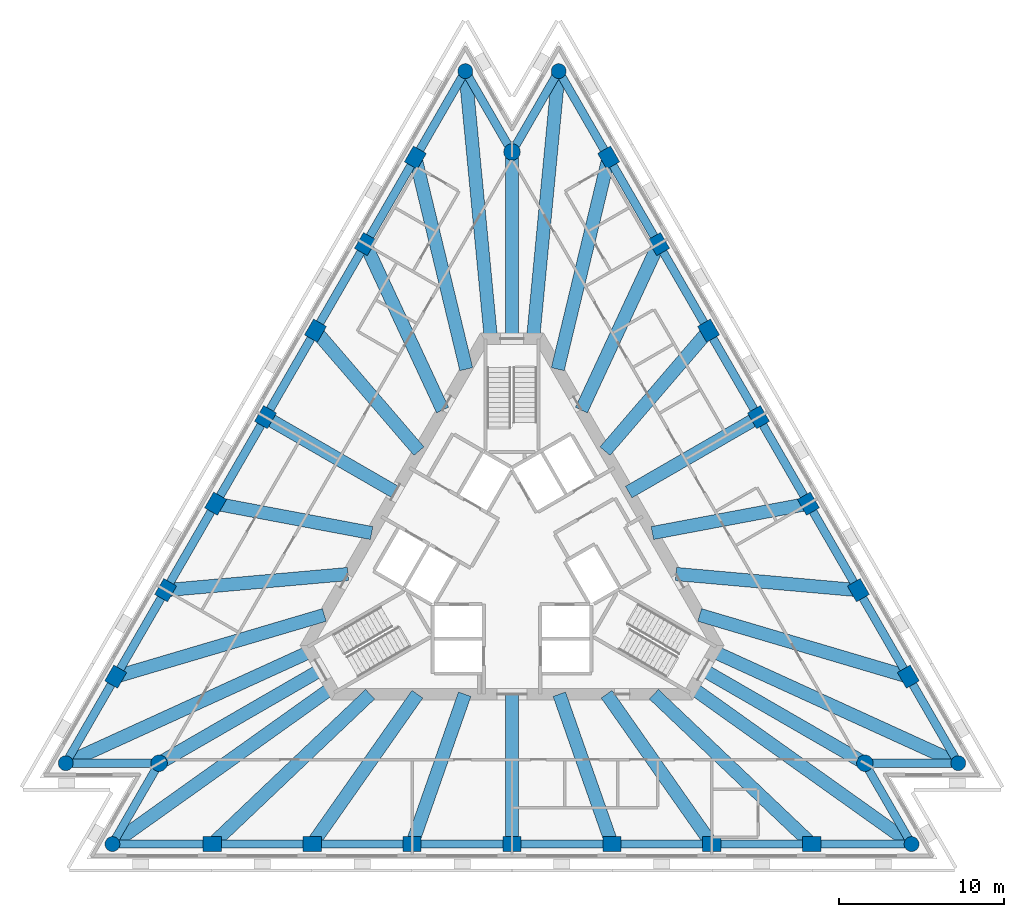
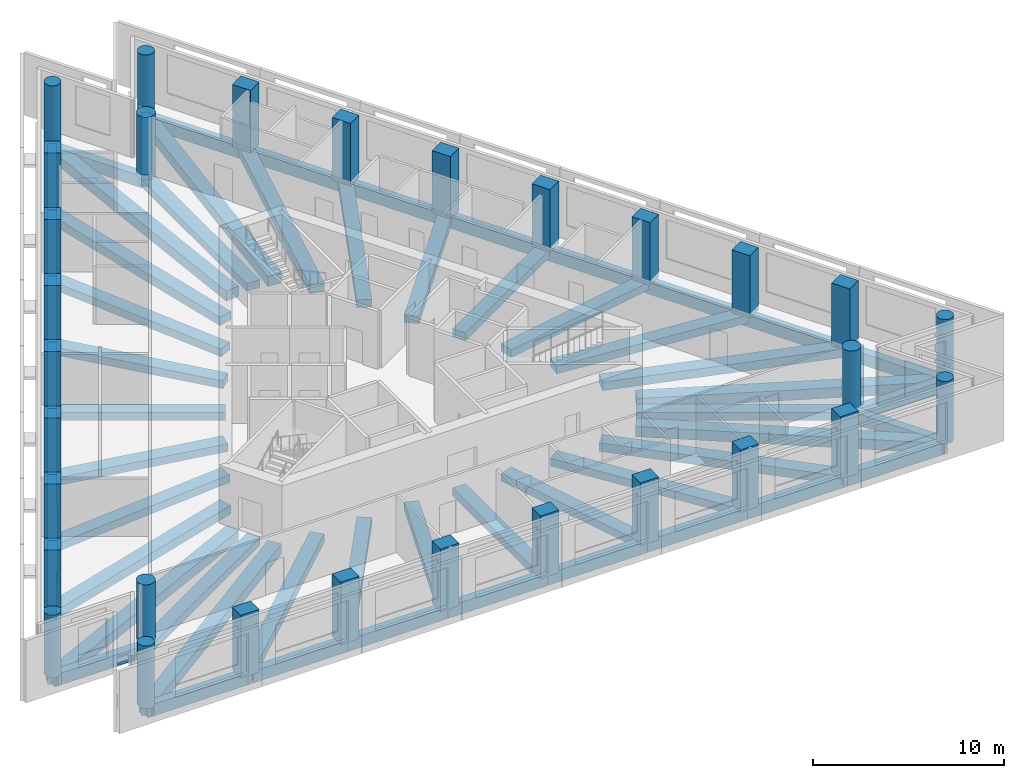
# One storey, part 1 of 9: 60 beams, 30 columns.
"""IFC4 building model written with IfcOpenShell, lengths in metres."""

from ifc_helpers import new_model, si_unit, direction, frame, origin, origin_2d, place, context, subcontext, project, spatial, rectangle, circle, extrude, material, material_profile, profile_set, type_object, element, save


model = new_model("IFC4")

# Units and contexts
model_context = context("Model", 3, precision=1e-05, world=origin(), true_north=direction((0.0, 1.0)))
body_context = subcontext(model_context, "Body", "Model", "MODEL_VIEW")
ifc_project = project(units=[si_unit("LENGTHUNIT", "METRE"), si_unit("AREAUNIT", "SQUARE_METRE"), si_unit("VOLUMEUNIT", "CUBIC_METRE"), si_unit("PLANEANGLEUNIT", "RADIAN"), si_unit("MASSUNIT", "GRAM", prefix="KILO")], contexts=[model_context])

# Site, building, storey
site_placement = place(None, origin())
site = spatial("IfcSite", under=ifc_project, at=site_placement, CompositionType="ELEMENT")
building_placement = place(site_placement, origin())
building = spatial("IfcBuilding", under=site, at=building_placement, Name="Triada Interchange Tower", CompositionType="ELEMENT")
storey_placement = place(building_placement, frame((0.0, 0.0, 223.300048828125)))
storey = spatial("IfcBuildingStorey", under=building, at=storey_placement, Name="L52", CompositionType="ELEMENT", Elevation=223.300048828125)

# Columns
ifc_material = material(Name="Concrete C50/60", Category="concrete")
ifc_material_profile_1 = material_profile(ifc_material, rectangle(XDim=1.10009765625, YDim=0.89990234375, at=origin_2d()), Name="RC 1100x900")
ifc_profile_set_1 = profile_set([ifc_material_profile_1], Name="Concrete C50/60")
column_type_1 = type_object("IfcColumnType", Name="Column C face RC 1100x900", PredefinedType="COLUMN", material=ifc_profile_set_1)
for number, where, z_axis, x_axis, name in (
    (1, (-5.843017578125, 24.299072265625, -0.300048828125), (0.0, 0.0, 1.0), (0.5, 0.866025403784, 0.0), "Column CC02 L52"),
    (2, (-8.864013671875, 19.068115234375, -0.300048828125), (0.0, 0.0, 1.0), (0.5, 0.866025403784, 0.0), "Column CC03 L52"),
    (3, (-11.884033203125, 13.8359375, -0.300048828125), (0.0, 0.0, 1.0), (0.5, 0.866025403784, 0.0), "Column CC04 L52"),
    (4, (-14.904052734375, 8.60498046875, -0.300048828125), (0.0, 0.0, 1.0), (0.5, 0.866025403784, 0.0), "Column CC05 L52"),
    (5, (-17.924072265625, 3.3740234375, -0.300048828125), (0.0, 0.0, 1.0), (0.5, 0.866025403784, 0.0), "Column CC06 L52"),
    (6, (-20.944091796875, -1.85791015625, -0.300048828125), (0.0, 0.0, 1.0), (0.5, 0.866025403784, 0.0), "Column CC07 L52"),
    (7, (-23.965087890625, -7.089111328125, -0.300048828125), (0.0, 0.0, 1.0), (0.5, 0.866025403784, 0.0), "Column CC08 L52"),
    (8, (-18.12109375, -17.2099609375, -0.300048828125), (0.0, 0.0, 1.0), (1.0, 0.0, 0.0), "Column CC11 L52"),
    (9, (-12.0810546875, -17.2099609375, -0.300048828125), (0.0, 0.0, 1.0), (1.0, 0.0, 0.0), "Column CC12 L52"),
    (10, (-6.041015625, -17.2099609375, -0.300048828125), (0.0, 0.0, 1.0), (1.0, 0.0, 0.0), "Column CC13 L52"),
    (11, (0.0, -17.2099609375, -0.300048828125), (0.0, 0.0, 1.0), (1.0, 0.0, 0.0), "Column CC14 L52"),
    (12, (6.041015625, -17.2099609375, -0.300048828125), (0.0, 0.0, 1.0), (1.0, 0.0, 0.0), "Column CC15 L52"),
    (13, (12.0810546875, -17.2099609375, -0.300048828125), (0.0, 0.0, 1.0), (1.0, 0.0, 0.0), "Column CC16 L52"),
    (14, (18.12109375, -17.2099609375, -0.300048828125), (0.0, 0.0, 1.0), (1.0, 0.0, 0.0), "Column CC17 L52"),
    (15, (23.965087890625, -7.089111328125, -0.300048828125), (0.0, 0.0, 1.0), (-0.5, 0.866025403784, 0.0), "Column CC20 L52"),
    (16, (20.944091796875, -1.85791015625, -0.300048828125), (0.0, 0.0, 1.0), (-0.5, 0.866025403784, 0.0), "Column CC21 L52"),
    (17, (17.924072265625, 3.3740234375, -0.300048828125), (0.0, 0.0, 1.0), (-0.5, 0.866025403784, 0.0), "Column CC22 L52"),
    (18, (14.904052734375, 8.60498046875, -0.300048828125), (0.0, 0.0, 1.0), (-0.5, 0.866025403784, 0.0), "Column CC23 L52"),
    (19, (11.884033203125, 13.8359375, -0.300048828125), (0.0, 0.0, 1.0), (-0.5, 0.866025403784, 0.0), "Column CC24 L52"),
    (20, (8.864013671875, 19.068115234375, -0.300048828125), (0.0, 0.0, 1.0), (-0.5, 0.866025403784, 0.0), "Column CC25 L52"),
    (21, (5.843017578125, 24.299072265625, -0.300048828125), (0.0, 0.0, 1.0), (-0.5, 0.866025403784, 0.0), "Column CC26 L52"),
):
    element("IfcColumn", number, at=place(storey_placement, frame(where, z_axis=z_axis, x_axis=x_axis)), inside=storey, type_object=column_type_1, Name=name, PredefinedType="COLUMN", context=body_context, shape_type="SweptSolid", body=[
        extrude(rectangle(XDim=1.10009765625, YDim=0.89990234375, at=origin_2d()), origin(), (0.0, 0.0, 1.0), 4.0),
    ])
ifc_material_profile_2 = material_profile(ifc_material, circle(Radius=0.449951171875, at=origin_2d()), Name="RC D900")
ifc_profile_set_2 = profile_set([ifc_material_profile_2], Name="Concrete C50/60")
column_type_2 = type_object("IfcColumnType", Name="End column C RC D900", PredefinedType="COLUMN", material=ifc_profile_set_2)
for number, where, z_axis, x_axis, name in (
    (22, (-2.822998046875, 29.530029296875, -0.300048828125), (0.0, 0.0, 1.0), (0.5, 0.866025403784, 0.0), "Column CC01 L52"),
    (23, (-26.985107421875, -12.320068359375, -0.300048828125), (0.0, 0.0, 1.0), (0.5, 0.866025403784, 0.0), "Column CC09 L52"),
    (24, (-24.162109375, -17.2099609375, -0.300048828125), (0.0, 0.0, 1.0), (1.0, 0.0, 0.0), "Column CC10 L52"),
    (25, (24.162109375, -17.2099609375, -0.300048828125), (0.0, 0.0, 1.0), (1.0, 0.0, 0.0), "Column CC18 L52"),
    (26, (26.985107421875, -12.320068359375, -0.300048828125), (0.0, 0.0, 1.0), (-0.5, 0.866025403784, 0.0), "Column CC19 L52"),
    (27, (2.822998046875, 29.530029296875, -0.300048828125), (0.0, 0.0, 1.0), (-0.5, 0.866025403784, 0.0), "Column CC27 L52"),
):
    element("IfcColumn", number, at=place(storey_placement, frame(where, z_axis=z_axis, x_axis=x_axis)), inside=storey, type_object=column_type_2, Name=name, PredefinedType="COLUMN", context=body_context, shape_type="SweptSolid", body=[
        extrude(circle(Radius=0.449951171875, at=origin_2d()), origin(), (0.0, 0.0, 1.0), 4.0),
    ])
ifc_material_profile_3 = material_profile(ifc_material, circle(Radius=0.5, at=origin_2d()), Name="RC D1000")
ifc_profile_set_3 = profile_set([ifc_material_profile_3], Name="Concrete C50/60")
column_type_3 = type_object("IfcColumnType", Name="Mega column C RC D1000", PredefinedType="COLUMN", material=ifc_profile_set_3)
for number, where, z_axis, x_axis, name in (
    (28, (0.0, 24.64111328125, -0.300048828125), (0.0, 0.0, 1.0), (1.0, 0.0, 0.0), "Column MC1 L52"),
    (29, (-21.339111328125, -12.320068359375, -0.300048828125), (0.0, 0.0, 1.0), (1.0, 0.0, 0.0), "Column MC2 L52"),
    (30, (21.339111328125, -12.320068359375, -0.300048828125), (0.0, 0.0, 1.0), (1.0, 0.0, 0.0), "Column MC3 L52"),
):
    element("IfcColumn", number, at=place(storey_placement, frame(where, z_axis=z_axis, x_axis=x_axis)), inside=storey, type_object=column_type_3, Name=name, PredefinedType="COLUMN", context=body_context, shape_type="SweptSolid", body=[
        extrude(circle(Radius=0.5, at=origin_2d()), origin(), (0.0, 0.0, 1.0), 4.0),
    ])

# Beams
ifc_material_profile_4 = material_profile(ifc_material, rectangle(XDim=0.800048828125, YDim=0.5, at=origin_2d()), Name="RC 800x500")
ifc_profile_set_4 = profile_set([ifc_material_profile_4], Name="Concrete C50/60")
beam_type_1 = type_object("IfcBeamType", Name="Radial band beam C RC 800x500", PredefinedType="BEAM", material=ifc_profile_set_4)
beam_1_placement = place(storey_placement, frame((-8.864013671875, 19.068115234375, -0.550048828125), z_axis=(0.421590750137, -0.906786214826, 0.0), x_axis=(0.906786214826, 0.421590750137, 0.0)))
element("IfcBeam", 31, at=beam_1_placement, inside=storey, type_object=beam_type_1, Name="Radial band beam BC03 L52", PredefinedType="BEAM", context=body_context, shape_type="SweptSolid", body=[
    extrude(rectangle(XDim=0.800048828125, YDim=0.5, at=origin_2d()), origin(), (0.0, 0.0, 1.0), 11.070068359375),
])
beam_2_placement = place(storey_placement, frame((-11.884033203125, 13.8359375, -0.550048828125), z_axis=(0.6515553359, -0.75860111011, 0.0), x_axis=(0.75860111011, 0.6515553359, 0.0)))
element("IfcBeam", 32, at=beam_2_placement, inside=storey, type_object=beam_type_1, Name="Radial band beam BC04 L52", PredefinedType="BEAM", context=body_context, shape_type="SweptSolid", body=[
    extrude(rectangle(XDim=0.800048828125, YDim=0.5, at=origin_2d()), origin(), (0.0, 0.0, 1.0), 9.601806640625),
])
beam_3_placement = place(storey_placement, frame((-14.904052734375, 8.60498046875, -0.550048828125), z_axis=(0.866017300948, -0.500014034262, 0.0), x_axis=(0.500014034262, 0.866017300948, 0.0)))
element("IfcBeam", 33, at=beam_3_placement, inside=storey, type_object=beam_type_1, Name="Radial band beam BC05 L52", PredefinedType="BEAM", context=body_context, shape_type="SweptSolid", body=[
    extrude(rectangle(XDim=0.800048828125, YDim=0.5, at=origin_2d()), origin(), (0.0, 0.0, 1.0), 9.059814453125),
])
beam_4_placement = place(storey_placement, frame((-17.924072265625, 3.3740234375, -0.550048828125), z_axis=(0.982742411841, -0.18497932849, 0.0), x_axis=(0.18497932849, 0.982742411841, 0.0)))
element("IfcBeam", 34, at=beam_4_placement, inside=storey, type_object=beam_type_1, Name="Radial band beam BC06 L52", PredefinedType="BEAM", context=body_context, shape_type="SweptSolid", body=[
    extrude(rectangle(XDim=0.800048828125, YDim=0.5, at=origin_2d()), origin(), (0.0, 0.0, 1.0), 9.601806640625),
])
beam_5_placement = place(storey_placement, frame((-20.944091796875, -1.85791015625, -0.550048828125), z_axis=(0.996088446435, 0.088361795355, 0.0), x_axis=(-0.088361795355, 0.996088446435, 0.0)))
element("IfcBeam", 35, at=beam_5_placement, inside=storey, type_object=beam_type_1, Name="Radial band beam BC07 L52", PredefinedType="BEAM", context=body_context, shape_type="SweptSolid", body=[
    extrude(rectangle(XDim=0.800048828125, YDim=0.5, at=origin_2d()), origin(), (0.0, 0.0, 1.0), 11.068359375),
])
beam_6_placement = place(storey_placement, frame((-21.339111328125, -12.320068359375, -0.550048828125), z_axis=(0.86601740905, 0.500013847031, 0.0), x_axis=(-0.500013847031, 0.86601740905, 0.0)))
element("IfcBeam", 36, at=beam_6_placement, inside=storey, type_object=beam_type_1, Name="Radial band beam BC10 L52", PredefinedType="BEAM", context=body_context, shape_type="SweptSolid", body=[
    extrude(rectangle(XDim=0.800048828125, YDim=0.5, at=origin_2d()), origin(), (0.0, 0.0, 1.0), 11.289794921875),
])
beam_7_placement = place(storey_placement, frame((-12.0810546875, -17.2099609375, -0.550048828125), z_axis=(0.574557185305, 0.818464440776, 0.0), x_axis=(-0.818464440776, 0.574557185305, 0.0)))
element("IfcBeam", 37, at=beam_7_placement, inside=storey, type_object=beam_type_1, Name="Radial band beam BC13 L52", PredefinedType="BEAM", context=body_context, shape_type="SweptSolid", body=[
    extrude(rectangle(XDim=0.800048828125, YDim=0.5, at=origin_2d()), origin(), (0.0, 0.0, 1.0), 11.069580078125),
])
beam_8_placement = place(storey_placement, frame((-6.041015625, -17.2099609375, -0.550048828125), z_axis=(0.331177076253, 0.943568621863, 0.0), x_axis=(-0.943568621863, 0.331177076253, 0.0)))
element("IfcBeam", 38, at=beam_8_placement, inside=storey, type_object=beam_type_1, Name="Radial band beam BC14 L52", PredefinedType="BEAM", context=body_context, shape_type="SweptSolid", body=[
    extrude(rectangle(XDim=0.800048828125, YDim=0.5, at=origin_2d()), origin(), (0.0, 0.0, 1.0), 9.601806640625),
])
beam_9_placement = place(storey_placement, frame((0.0, -17.2099609375, -0.550048828125), z_axis=(0.0, 1.0, 0.0), x_axis=(-1.0, 0.0, 0.0)))
element("IfcBeam", 39, at=beam_9_placement, inside=storey, type_object=beam_type_1, Name="Radial band beam BC15 L52", PredefinedType="BEAM", context=body_context, shape_type="SweptSolid", body=[
    extrude(rectangle(XDim=0.800048828125, YDim=0.5, at=origin_2d()), origin(), (0.0, 0.0, 1.0), 9.06005859375),
])
beam_10_placement = place(storey_placement, frame((6.041015625, -17.2099609375, -0.550048828125), z_axis=(-0.331177076253, 0.943568621863, 0.0), x_axis=(-0.943568621863, -0.331177076253, 0.0)))
element("IfcBeam", 40, at=beam_10_placement, inside=storey, type_object=beam_type_1, Name="Radial band beam BC16 L52", PredefinedType="BEAM", context=body_context, shape_type="SweptSolid", body=[
    extrude(rectangle(XDim=0.800048828125, YDim=0.5, at=origin_2d()), origin(), (0.0, 0.0, 1.0), 9.601806640625),
])
beam_11_placement = place(storey_placement, frame((12.0810546875, -17.2099609375, -0.550048828125), z_axis=(-0.574557185305, 0.818464440776, 0.0), x_axis=(-0.818464440776, -0.574557185305, 0.0)))
element("IfcBeam", 41, at=beam_11_placement, inside=storey, type_object=beam_type_1, Name="Radial band beam BC17 L52", PredefinedType="BEAM", context=body_context, shape_type="SweptSolid", body=[
    extrude(rectangle(XDim=0.800048828125, YDim=0.5, at=origin_2d()), origin(), (0.0, 0.0, 1.0), 11.069580078125),
])
beam_12_placement = place(storey_placement, frame((21.339111328125, -12.320068359375, -0.550048828125), z_axis=(-0.86601740905, 0.500013847031, 0.0), x_axis=(-0.500013847031, -0.86601740905, 0.0)))
element("IfcBeam", 42, at=beam_12_placement, inside=storey, type_object=beam_type_1, Name="Radial band beam BC20 L52", PredefinedType="BEAM", context=body_context, shape_type="SweptSolid", body=[
    extrude(rectangle(XDim=0.800048828125, YDim=0.5, at=origin_2d()), origin(), (0.0, 0.0, 1.0), 11.289794921875),
])
beam_13_placement = place(storey_placement, frame((20.944091796875, -1.85791015625, -0.550048828125), z_axis=(-0.996088446435, 0.088361795355, 0.0), x_axis=(-0.088361795355, -0.996088446435, 0.0)))
element("IfcBeam", 43, at=beam_13_placement, inside=storey, type_object=beam_type_1, Name="Radial band beam BC23 L52", PredefinedType="BEAM", context=body_context, shape_type="SweptSolid", body=[
    extrude(rectangle(XDim=0.800048828125, YDim=0.5, at=origin_2d()), origin(), (0.0, 0.0, 1.0), 11.068359375),
])
beam_14_placement = place(storey_placement, frame((17.924072265625, 3.3740234375, -0.550048828125), z_axis=(-0.982742411841, -0.18497932849, 0.0), x_axis=(0.18497932849, -0.982742411841, 0.0)))
element("IfcBeam", 44, at=beam_14_placement, inside=storey, type_object=beam_type_1, Name="Radial band beam BC24 L52", PredefinedType="BEAM", context=body_context, shape_type="SweptSolid", body=[
    extrude(rectangle(XDim=0.800048828125, YDim=0.5, at=origin_2d()), origin(), (0.0, 0.0, 1.0), 9.601806640625),
])
beam_15_placement = place(storey_placement, frame((14.904052734375, 8.60498046875, -0.550048828125), z_axis=(-0.866017300948, -0.500014034262, 0.0), x_axis=(0.500014034262, -0.866017300948, 0.0)))
element("IfcBeam", 45, at=beam_15_placement, inside=storey, type_object=beam_type_1, Name="Radial band beam BC25 L52", PredefinedType="BEAM", context=body_context, shape_type="SweptSolid", body=[
    extrude(rectangle(XDim=0.800048828125, YDim=0.5, at=origin_2d()), origin(), (0.0, 0.0, 1.0), 9.059814453125),
])
beam_16_placement = place(storey_placement, frame((11.884033203125, 13.8359375, -0.550048828125), z_axis=(-0.6515553359, -0.75860111011, 0.0), x_axis=(0.75860111011, -0.6515553359, 0.0)))
element("IfcBeam", 46, at=beam_16_placement, inside=storey, type_object=beam_type_1, Name="Radial band beam BC26 L52", PredefinedType="BEAM", context=body_context, shape_type="SweptSolid", body=[
    extrude(rectangle(XDim=0.800048828125, YDim=0.5, at=origin_2d()), origin(), (0.0, 0.0, 1.0), 9.601806640625),
])
beam_17_placement = place(storey_placement, frame((8.864013671875, 19.068115234375, -0.550048828125), z_axis=(-0.421590750137, -0.906786214826, 0.0), x_axis=(0.906786214826, -0.421590750137, 0.0)))
element("IfcBeam", 47, at=beam_17_placement, inside=storey, type_object=beam_type_1, Name="Radial band beam BC27 L52", PredefinedType="BEAM", context=body_context, shape_type="SweptSolid", body=[
    extrude(rectangle(XDim=0.800048828125, YDim=0.5, at=origin_2d()), origin(), (0.0, 0.0, 1.0), 11.070068359375),
])
beam_18_placement = place(storey_placement, frame((0.0, 24.64111328125, -0.550048828125), z_axis=(0.0, -1.0, 0.0), x_axis=(1.0, 0.0, 0.0)))
element("IfcBeam", 48, at=beam_18_placement, inside=storey, type_object=beam_type_1, Name="Radial band beam BC30 L52", PredefinedType="BEAM", context=body_context, shape_type="SweptSolid", body=[
    extrude(rectangle(XDim=0.800048828125, YDim=0.5, at=origin_2d()), origin(), (0.0, 0.0, 1.0), 11.291015625),
])
ifc_material_profile_5 = material_profile(ifc_material, rectangle(XDim=0.800048828125, YDim=0.550048828125, at=origin_2d()), Name="RC 800x550")
ifc_profile_set_5 = profile_set([ifc_material_profile_5], Name="Concrete C50/60")
beam_type_2 = type_object("IfcBeamType", Name="Radial band beam C RC 800x550", PredefinedType="BEAM", material=ifc_profile_set_5)
for number, where, z_axis, x_axis, name in (
    (49, (-5.843017578125, 24.299072265625, -0.574951171875), (0.23379332941, -0.972286315405, 0.0), (0.972286315405, 0.23379332941, 0.0), "Radial band beam BC02 L52"),
    (50, (-23.965087890625, -7.089111328125, -0.574951171875), (0.958919895275, 0.283676989629, 0.0), (-0.283676989629, 0.958919895275, 0.0), "Radial band beam BC08 L52"),
):
    element("IfcBeam", number, at=place(storey_placement, frame(where, z_axis=z_axis, x_axis=x_axis)), inside=storey, type_object=beam_type_2, Name=name, PredefinedType="BEAM", context=body_context, shape_type="SweptSolid", body=[
        extrude(rectangle(XDim=0.800048828125, YDim=0.550048828125, at=origin_2d()), origin(), (0.0, 0.0, 1.0), 13.156494140625),
    ])
for number, where, z_axis, x_axis, name in (
    (51, (-18.12109375, -17.2099609375, -0.574951171875), (0.725112469528, 0.688630457165, 0.0), (-0.688630457165, 0.725112469528, 0.0), "Radial band beam BC12 L52"),
    (52, (18.12109375, -17.2099609375, -0.574951171875), (-0.725112469528, 0.688630457165, 0.0), (-0.688630457165, -0.725112469528, 0.0), "Radial band beam BC18 L52"),
):
    element("IfcBeam", number, at=place(storey_placement, frame(where, z_axis=z_axis, x_axis=x_axis)), inside=storey, type_object=beam_type_2, Name=name, PredefinedType="BEAM", context=body_context, shape_type="SweptSolid", body=[
        extrude(rectangle(XDim=0.800048828125, YDim=0.550048828125, at=origin_2d()), origin(), (0.0, 0.0, 1.0), 13.15673828125),
    ])
for number, where, z_axis, x_axis, name in (
    (53, (23.965087890625, -7.089111328125, -0.574951171875), (-0.958919895275, 0.283676989629, 0.0), (-0.283676989629, -0.958919895275, 0.0), "Radial band beam BC22 L52"),
    (54, (5.843017578125, 24.299072265625, -0.574951171875), (-0.23379332941, -0.972286315405, 0.0), (0.972286315405, -0.23379332941, 0.0), "Radial band beam BC28 L52"),
):
    element("IfcBeam", number, at=place(storey_placement, frame(where, z_axis=z_axis, x_axis=x_axis)), inside=storey, type_object=beam_type_2, Name=name, PredefinedType="BEAM", context=body_context, shape_type="SweptSolid", body=[
        extrude(rectangle(XDim=0.800048828125, YDim=0.550048828125, at=origin_2d()), origin(), (0.0, 0.0, 1.0), 13.156494140625),
    ])
ifc_material_profile_6 = material_profile(ifc_material, rectangle(XDim=0.800048828125, YDim=0.64990234375, at=origin_2d()), Name="RC 800x650")
ifc_profile_set_6 = profile_set([ifc_material_profile_6], Name="Concrete C50/60")
beam_type_3 = type_object("IfcBeamType", Name="Radial band beam C RC 800x650", PredefinedType="BEAM", material=ifc_profile_set_6)
beam_19_placement = place(storey_placement, frame((-2.822998046875, 29.530029296875, -0.625), z_axis=(0.095185478206, -0.995459554547, 0.0), x_axis=(0.995459554547, 0.095185478206, 0.0)))
element("IfcBeam", 55, at=beam_19_placement, inside=storey, type_object=beam_type_3, Name="Radial band beam BC01 L52", PredefinedType="BEAM", context=body_context, shape_type="SweptSolid", body=[
    extrude(rectangle(XDim=0.800048828125, YDim=0.64990234375, at=origin_2d()), origin(), (0.0, 0.0, 1.0), 16.253662109375),
])
beam_20_placement = place(storey_placement, frame((-26.985107421875, -12.320068359375, -0.625), z_axis=(0.909682082245, 0.415305320507, 0.0), x_axis=(-0.415305320507, 0.909682082245, 0.0)))
element("IfcBeam", 56, at=beam_20_placement, inside=storey, type_object=beam_type_3, Name="Radial band beam BC09 L52", PredefinedType="BEAM", context=body_context, shape_type="SweptSolid", body=[
    extrude(rectangle(XDim=0.800048828125, YDim=0.64990234375, at=origin_2d()), origin(), (0.0, 0.0, 1.0), 16.253173828125),
])
for number, where, z_axis, x_axis, name in (
    (57, (-24.162109375, -17.2099609375, -0.625), (0.814504065781, 0.580157846475, 0.0), (-0.580157846475, 0.814504065781, 0.0), "Radial band beam BC11 L52"),
    (58, (24.162109375, -17.2099609375, -0.625), (-0.814504065781, 0.580157846475, 0.0), (-0.580157846475, -0.814504065781, 0.0), "Radial band beam BC19 L52"),
):
    element("IfcBeam", number, at=place(storey_placement, frame(where, z_axis=z_axis, x_axis=x_axis)), inside=storey, type_object=beam_type_3, Name=name, PredefinedType="BEAM", context=body_context, shape_type="SweptSolid", body=[
        extrude(rectangle(XDim=0.800048828125, YDim=0.64990234375, at=origin_2d()), origin(), (0.0, 0.0, 1.0), 16.254150390625),
    ])
beam_21_placement = place(storey_placement, frame((26.985107421875, -12.320068359375, -0.625), z_axis=(-0.909682082245, 0.415305320507, 0.0), x_axis=(-0.415305320507, -0.909682082245, 0.0)))
element("IfcBeam", 59, at=beam_21_placement, inside=storey, type_object=beam_type_3, Name="Radial band beam BC21 L52", PredefinedType="BEAM", context=body_context, shape_type="SweptSolid", body=[
    extrude(rectangle(XDim=0.800048828125, YDim=0.64990234375, at=origin_2d()), origin(), (0.0, 0.0, 1.0), 16.253173828125),
])
beam_22_placement = place(storey_placement, frame((2.822998046875, 29.530029296875, -0.625), z_axis=(-0.095185478206, -0.995459554547, 0.0), x_axis=(0.995459554547, -0.095185478206, 0.0)))
element("IfcBeam", 60, at=beam_22_placement, inside=storey, type_object=beam_type_3, Name="Radial band beam BC29 L52", PredefinedType="BEAM", context=body_context, shape_type="SweptSolid", body=[
    extrude(rectangle(XDim=0.800048828125, YDim=0.64990234375, at=origin_2d()), origin(), (0.0, 0.0, 1.0), 16.253662109375),
])
ifc_material_profile_7 = material_profile(ifc_material, rectangle(XDim=0.5, YDim=0.75, at=origin_2d()), Name="RC 500x750")
ifc_profile_set_7 = profile_set([ifc_material_profile_7], Name="Concrete C50/60")
beam_type_4 = type_object("IfcBeamType", Name="Spandrel beam C RC 500x750", PredefinedType="BEAM", material=ifc_profile_set_7)
beam_23_placement = place(storey_placement, frame((-2.822998046875, 29.530029296875, -0.675048828125), z_axis=(-0.499990697366, -0.866030774596, 0.0), x_axis=(0.866030774596, -0.499990697366, 0.0)))
element("IfcBeam", 61, at=beam_23_placement, inside=storey, type_object=beam_type_4, Name="Spandrel beam EC01 L52", PredefinedType="BEAM", context=body_context, shape_type="SweptSolid", body=[
    extrude(rectangle(XDim=0.5, YDim=0.75, at=origin_2d()), origin(), (0.0, 0.0, 1.0), 6.0400390625),
])
beam_24_placement = place(storey_placement, frame((-5.843017578125, 24.299072265625, -0.675048828125), z_axis=(-0.500111943026, -0.865960763801, 0.0), x_axis=(0.865960763801, -0.500111943026, 0.0)))
element("IfcBeam", 62, at=beam_24_placement, inside=storey, type_object=beam_type_4, Name="Spandrel beam EC02 L52", PredefinedType="BEAM", context=body_context, shape_type="SweptSolid", body=[
    extrude(rectangle(XDim=0.5, YDim=0.75, at=origin_2d()), origin(), (0.0, 0.0, 1.0), 6.04052734375),
])
beam_25_placement = place(storey_placement, frame((-8.864013671875, 19.068115234375, -0.675048828125), z_axis=(-0.499903200169, -0.86608128398, 0.0), x_axis=(0.86608128398, -0.499903200169, 0.0)))
element("IfcBeam", 63, at=beam_25_placement, inside=storey, type_object=beam_type_4, Name="Spandrel beam EC03 L52", PredefinedType="BEAM", context=body_context, shape_type="SweptSolid", body=[
    extrude(rectangle(XDim=0.5, YDim=0.75, at=origin_2d()), origin(), (0.0, 0.0, 1.0), 6.041259765625),
])
for number, where, z_axis, x_axis, name in (
    (64, (-11.884033203125, 13.8359375, -0.675048828125), (-0.499990697366, -0.866030774596, 0.0), (0.866030774596, -0.499990697366, 0.0), "Spandrel beam EC04 L52"),
    (65, (-14.904052734375, 8.60498046875, -0.675048828125), (-0.499990697366, -0.866030774596, 0.0), (0.866030774596, -0.499990697366, 0.0), "Spandrel beam EC05 L52"),
):
    element("IfcBeam", number, at=place(storey_placement, frame(where, z_axis=z_axis, x_axis=x_axis)), inside=storey, type_object=beam_type_4, Name=name, PredefinedType="BEAM", context=body_context, shape_type="SweptSolid", body=[
        extrude(rectangle(XDim=0.5, YDim=0.75, at=origin_2d()), origin(), (0.0, 0.0, 1.0), 6.0400390625),
    ])
beam_26_placement = place(storey_placement, frame((-17.924072265625, 3.3740234375, -0.675048828125), z_axis=(-0.499920697567, -0.866071184225, 0.0), x_axis=(0.866071184225, -0.499920697567, 0.0)))
element("IfcBeam", 66, at=beam_26_placement, inside=storey, type_object=beam_type_4, Name="Spandrel beam EC06 L52", PredefinedType="BEAM", context=body_context, shape_type="SweptSolid", body=[
    extrude(rectangle(XDim=0.5, YDim=0.75, at=origin_2d()), origin(), (0.0, 0.0, 1.0), 6.041015625),
])
beam_27_placement = place(storey_placement, frame((-20.944091796875, -1.85791015625, -0.675048828125), z_axis=(-0.500094440131, -0.865970871883, 0.0), x_axis=(0.865970871883, -0.500094440131, 0.0)))
element("IfcBeam", 67, at=beam_27_placement, inside=storey, type_object=beam_type_4, Name="Spandrel beam EC07 L52", PredefinedType="BEAM", context=body_context, shape_type="SweptSolid", body=[
    extrude(rectangle(XDim=0.5, YDim=0.75, at=origin_2d()), origin(), (0.0, 0.0, 1.0), 6.040771484375),
])
beam_28_placement = place(storey_placement, frame((-23.965087890625, -7.089111328125, -0.675048828125), z_axis=(-0.499990697366, -0.866030774596, 0.0), x_axis=(0.866030774596, -0.499990697366, 0.0)))
element("IfcBeam", 68, at=beam_28_placement, inside=storey, type_object=beam_type_4, Name="Spandrel beam EC08 L52", PredefinedType="BEAM", context=body_context, shape_type="SweptSolid", body=[
    extrude(rectangle(XDim=0.5, YDim=0.75, at=origin_2d()), origin(), (0.0, 0.0, 1.0), 6.0400390625),
])
beam_29_placement = place(storey_placement, frame((-26.985107421875, -12.320068359375, -0.675048828125), z_axis=(1.0, 0.0, 0.0), x_axis=(0.0, 1.0, 0.0)))
element("IfcBeam", 69, at=beam_29_placement, inside=storey, type_object=beam_type_4, Name="Spandrel beam EC09 L52", PredefinedType="BEAM", context=body_context, shape_type="SweptSolid", body=[
    extrude(rectangle(XDim=0.5, YDim=0.75, at=origin_2d()), origin(), (0.0, 0.0, 1.0), 5.64599609375),
])
beam_30_placement = place(storey_placement, frame((-21.339111328125, -12.320068359375, -0.675048828125), z_axis=(-0.499975725007, -0.866039418504, 0.0), x_axis=(0.866039418504, -0.499975725007, 0.0)))
element("IfcBeam", 70, at=beam_30_placement, inside=storey, type_object=beam_type_4, Name="Spandrel beam EC10 L52", PredefinedType="BEAM", context=body_context, shape_type="SweptSolid", body=[
    extrude(rectangle(XDim=0.5, YDim=0.75, at=origin_2d()), origin(), (0.0, 0.0, 1.0), 5.646240234375),
])
beam_31_placement = place(storey_placement, frame((-24.162109375, -17.2099609375, -0.675048828125), z_axis=(1.0, 0.0, 0.0), x_axis=(0.0, 1.0, 0.0)))
element("IfcBeam", 71, at=beam_31_placement, inside=storey, type_object=beam_type_4, Name="Spandrel beam EC11 L52", PredefinedType="BEAM", context=body_context, shape_type="SweptSolid", body=[
    extrude(rectangle(XDim=0.5, YDim=0.75, at=origin_2d()), origin(), (0.0, 0.0, 1.0), 6.041015625),
])
for number, where, z_axis, x_axis, name in (
    (72, (-18.12109375, -17.2099609375, -0.675048828125), (1.0, 0.0, 0.0), (0.0, 1.0, 0.0), "Spandrel beam EC12 L52"),
    (73, (-12.0810546875, -17.2099609375, -0.675048828125), (1.0, 0.0, 0.0), (0.0, 1.0, 0.0), "Spandrel beam EC13 L52"),
):
    element("IfcBeam", number, at=place(storey_placement, frame(where, z_axis=z_axis, x_axis=x_axis)), inside=storey, type_object=beam_type_4, Name=name, PredefinedType="BEAM", context=body_context, shape_type="SweptSolid", body=[
        extrude(rectangle(XDim=0.5, YDim=0.75, at=origin_2d()), origin(), (0.0, 0.0, 1.0), 6.0400390625),
    ])
for number, where, z_axis, x_axis, name in (
    (74, (-6.041015625, -17.2099609375, -0.675048828125), (1.0, 0.0, 0.0), (0.0, 1.0, 0.0), "Spandrel beam EC14 L52"),
    (75, (0.0, -17.2099609375, -0.675048828125), (1.0, 0.0, 0.0), (0.0, 1.0, 0.0), "Spandrel beam EC15 L52"),
):
    element("IfcBeam", number, at=place(storey_placement, frame(where, z_axis=z_axis, x_axis=x_axis)), inside=storey, type_object=beam_type_4, Name=name, PredefinedType="BEAM", context=body_context, shape_type="SweptSolid", body=[
        extrude(rectangle(XDim=0.5, YDim=0.75, at=origin_2d()), origin(), (0.0, 0.0, 1.0), 6.041015625),
    ])
for number, where, z_axis, x_axis, name in (
    (76, (6.041015625, -17.2099609375, -0.675048828125), (1.0, 0.0, 0.0), (0.0, 1.0, 0.0), "Spandrel beam EC16 L52"),
    (77, (12.0810546875, -17.2099609375, -0.675048828125), (1.0, 0.0, 0.0), (0.0, 1.0, 0.0), "Spandrel beam EC17 L52"),
):
    element("IfcBeam", number, at=place(storey_placement, frame(where, z_axis=z_axis, x_axis=x_axis)), inside=storey, type_object=beam_type_4, Name=name, PredefinedType="BEAM", context=body_context, shape_type="SweptSolid", body=[
        extrude(rectangle(XDim=0.5, YDim=0.75, at=origin_2d()), origin(), (0.0, 0.0, 1.0), 6.0400390625),
    ])
beam_32_placement = place(storey_placement, frame((18.12109375, -17.2099609375, -0.675048828125), z_axis=(1.0, 0.0, 0.0), x_axis=(0.0, 1.0, 0.0)))
element("IfcBeam", 78, at=beam_32_placement, inside=storey, type_object=beam_type_4, Name="Spandrel beam EC18 L52", PredefinedType="BEAM", context=body_context, shape_type="SweptSolid", body=[
    extrude(rectangle(XDim=0.5, YDim=0.75, at=origin_2d()), origin(), (0.0, 0.0, 1.0), 6.041015625),
])
beam_33_placement = place(storey_placement, frame((24.162109375, -17.2099609375, -0.675048828125), z_axis=(-0.499975725007, 0.866039418504, 0.0), x_axis=(-0.866039418504, -0.499975725007, 0.0)))
element("IfcBeam", 79, at=beam_33_placement, inside=storey, type_object=beam_type_4, Name="Spandrel beam EC19 L52", PredefinedType="BEAM", context=body_context, shape_type="SweptSolid", body=[
    extrude(rectangle(XDim=0.5, YDim=0.75, at=origin_2d()), origin(), (0.0, 0.0, 1.0), 5.646240234375),
])
beam_34_placement = place(storey_placement, frame((21.339111328125, -12.320068359375, -0.675048828125), z_axis=(1.0, 0.0, 0.0), x_axis=(0.0, 1.0, 0.0)))
element("IfcBeam", 80, at=beam_34_placement, inside=storey, type_object=beam_type_4, Name="Spandrel beam EC20 L52", PredefinedType="BEAM", context=body_context, shape_type="SweptSolid", body=[
    extrude(rectangle(XDim=0.5, YDim=0.75, at=origin_2d()), origin(), (0.0, 0.0, 1.0), 5.64599609375),
])
beam_35_placement = place(storey_placement, frame((26.985107421875, -12.320068359375, -0.675048828125), z_axis=(-0.499990697366, 0.866030774596, 0.0), x_axis=(-0.866030774596, -0.499990697366, 0.0)))
element("IfcBeam", 81, at=beam_35_placement, inside=storey, type_object=beam_type_4, Name="Spandrel beam EC21 L52", PredefinedType="BEAM", context=body_context, shape_type="SweptSolid", body=[
    extrude(rectangle(XDim=0.5, YDim=0.75, at=origin_2d()), origin(), (0.0, 0.0, 1.0), 6.0400390625),
])
beam_36_placement = place(storey_placement, frame((23.965087890625, -7.089111328125, -0.675048828125), z_axis=(-0.500094440131, 0.865970871883, 0.0), x_axis=(-0.865970871883, -0.500094440131, 0.0)))
element("IfcBeam", 82, at=beam_36_placement, inside=storey, type_object=beam_type_4, Name="Spandrel beam EC22 L52", PredefinedType="BEAM", context=body_context, shape_type="SweptSolid", body=[
    extrude(rectangle(XDim=0.5, YDim=0.75, at=origin_2d()), origin(), (0.0, 0.0, 1.0), 6.040771484375),
])
beam_37_placement = place(storey_placement, frame((20.944091796875, -1.85791015625, -0.675048828125), z_axis=(-0.499920697567, 0.866071184225, 0.0), x_axis=(-0.866071184225, -0.499920697567, 0.0)))
element("IfcBeam", 83, at=beam_37_placement, inside=storey, type_object=beam_type_4, Name="Spandrel beam EC23 L52", PredefinedType="BEAM", context=body_context, shape_type="SweptSolid", body=[
    extrude(rectangle(XDim=0.5, YDim=0.75, at=origin_2d()), origin(), (0.0, 0.0, 1.0), 6.041015625),
])
for number, where, z_axis, x_axis, name in (
    (84, (17.924072265625, 3.3740234375, -0.675048828125), (-0.499990697366, 0.866030774596, 0.0), (-0.866030774596, -0.499990697366, 0.0), "Spandrel beam EC24 L52"),
    (85, (14.904052734375, 8.60498046875, -0.675048828125), (-0.499990697366, 0.866030774596, 0.0), (-0.866030774596, -0.499990697366, 0.0), "Spandrel beam EC25 L52"),
):
    element("IfcBeam", number, at=place(storey_placement, frame(where, z_axis=z_axis, x_axis=x_axis)), inside=storey, type_object=beam_type_4, Name=name, PredefinedType="BEAM", context=body_context, shape_type="SweptSolid", body=[
        extrude(rectangle(XDim=0.5, YDim=0.75, at=origin_2d()), origin(), (0.0, 0.0, 1.0), 6.0400390625),
    ])
beam_38_placement = place(storey_placement, frame((11.884033203125, 13.8359375, -0.675048828125), z_axis=(-0.499903200169, 0.86608128398, 0.0), x_axis=(-0.86608128398, -0.499903200169, 0.0)))
element("IfcBeam", 86, at=beam_38_placement, inside=storey, type_object=beam_type_4, Name="Spandrel beam EC26 L52", PredefinedType="BEAM", context=body_context, shape_type="SweptSolid", body=[
    extrude(rectangle(XDim=0.5, YDim=0.75, at=origin_2d()), origin(), (0.0, 0.0, 1.0), 6.041259765625),
])
beam_39_placement = place(storey_placement, frame((8.864013671875, 19.068115234375, -0.675048828125), z_axis=(-0.500111943026, 0.865960763801, 0.0), x_axis=(-0.865960763801, -0.500111943026, 0.0)))
element("IfcBeam", 87, at=beam_39_placement, inside=storey, type_object=beam_type_4, Name="Spandrel beam EC27 L52", PredefinedType="BEAM", context=body_context, shape_type="SweptSolid", body=[
    extrude(rectangle(XDim=0.5, YDim=0.75, at=origin_2d()), origin(), (0.0, 0.0, 1.0), 6.04052734375),
])
beam_40_placement = place(storey_placement, frame((5.843017578125, 24.299072265625, -0.675048828125), z_axis=(-0.499990697366, 0.866030774596, 0.0), x_axis=(-0.866030774596, -0.499990697366, 0.0)))
element("IfcBeam", 88, at=beam_40_placement, inside=storey, type_object=beam_type_4, Name="Spandrel beam EC28 L52", PredefinedType="BEAM", context=body_context, shape_type="SweptSolid", body=[
    extrude(rectangle(XDim=0.5, YDim=0.75, at=origin_2d()), origin(), (0.0, 0.0, 1.0), 6.0400390625),
])
for number, where, z_axis, x_axis, name in (
    (89, (2.822998046875, 29.530029296875, -0.675048828125), (-0.500050624552, -0.865996173713, 0.0), (0.865996173713, -0.500050624552, 0.0), "Spandrel beam EC29 L52"),
    (90, (0.0, 24.64111328125, -0.675048828125), (-0.500050624552, 0.865996173713, 0.0), (-0.865996173713, -0.500050624552, 0.0), "Spandrel beam EC30 L52"),
):
    element("IfcBeam", number, at=place(storey_placement, frame(where, z_axis=z_axis, x_axis=x_axis)), inside=storey, type_object=beam_type_4, Name=name, PredefinedType="BEAM", context=body_context, shape_type="SweptSolid", body=[
        extrude(rectangle(XDim=0.5, YDim=0.75, at=origin_2d()), origin(), (0.0, 0.0, 1.0), 5.6455078125),
    ])

save(model, "model.ifc")
